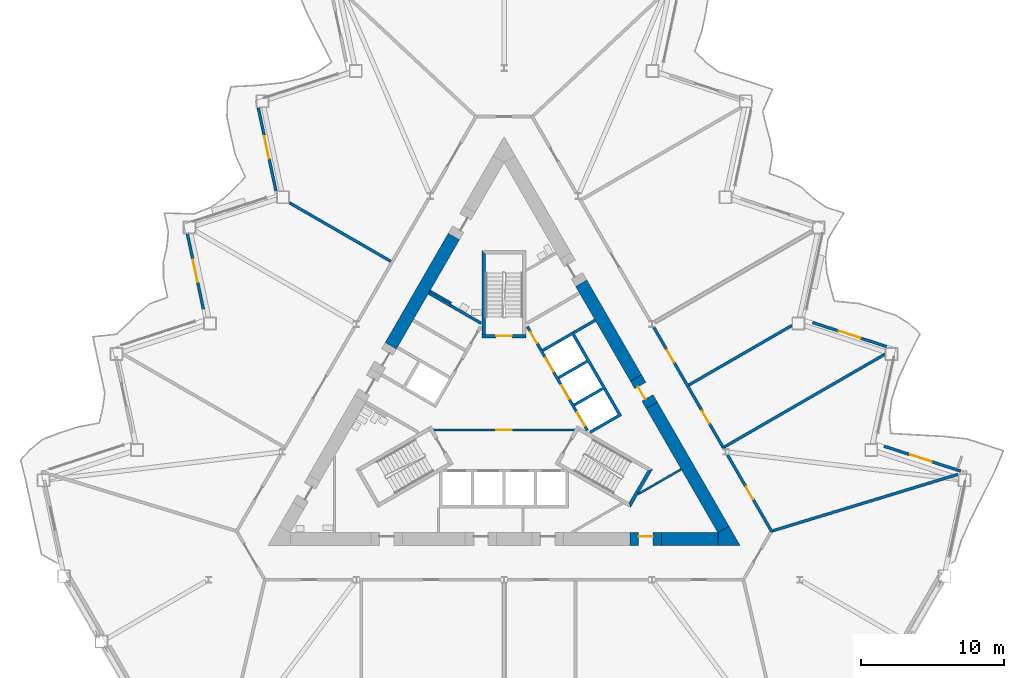
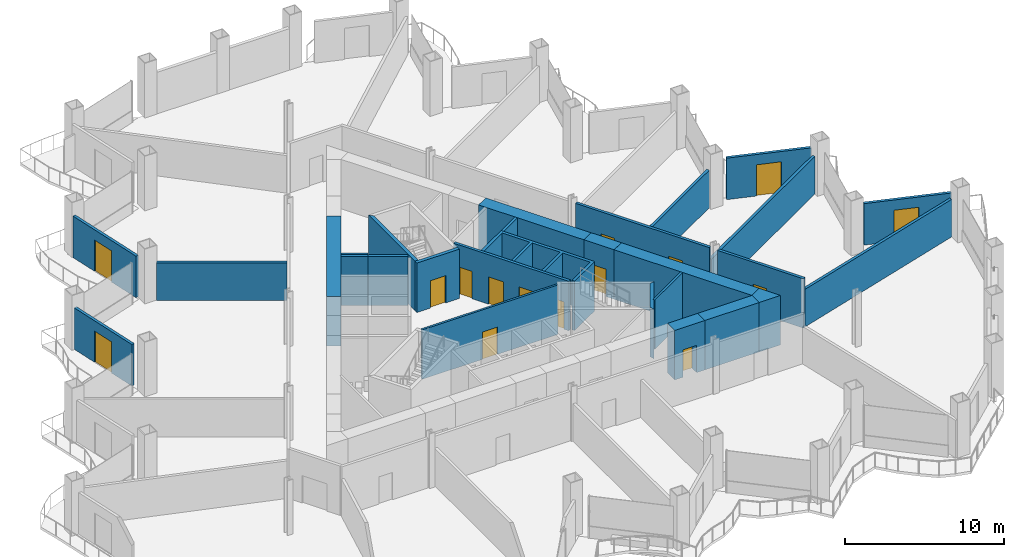
# One storey, part 12 of 21: 28 walls, 15 doors, 15 openings.
"""IFC4 building model written with IfcOpenShell, lengths in metres."""

from ifc_helpers import new_model, si_unit, direction, frame, frame_2d, origin, place, context, subcontext, project, spatial, polyline, rectangle, outline, extrude, material, layer, layer_set, type_object, element, fill, save


model = new_model("IFC4")

# Units and contexts
model_context = context("Model", 3, precision=1e-05, world=origin(), true_north=direction((0.0, 1.0)))
body_context = subcontext(model_context, "Body", "Model", "MODEL_VIEW")
ifc_project = project(units=[si_unit("LENGTHUNIT", "METRE"), si_unit("AREAUNIT", "SQUARE_METRE"), si_unit("VOLUMEUNIT", "CUBIC_METRE"), si_unit("PLANEANGLEUNIT", "RADIAN"), si_unit("MASSUNIT", "GRAM", prefix="KILO")], contexts=[model_context])

# Site, building, storey
site_placement = place(None, origin())
site = spatial("IfcSite", under=ifc_project, at=site_placement, CompositionType="ELEMENT")
building_placement = place(site_placement, origin())
building = spatial("IfcBuilding", under=site, at=building_placement, Name="Cormorant Prow Tower", CompositionType="ELEMENT")
storey_placement = place(building_placement, frame((0.0, 0.0, 103.800048828125)))
storey = spatial("IfcBuildingStorey", under=building, at=storey_placement, Name="L21", CompositionType="ELEMENT", Elevation=103.800048828125)

# Wall, opening, door
ifc_material_1 = material(Name="Gypsum board partition")
ifc_layer_1 = layer(ifc_material_1, 0.14990234375)
ifc_layer_set_1 = layer_set([ifc_layer_1], Name="Gypsum board partition")
wall_type_1 = type_object("IfcWallType", Name="Core partition 150", PredefinedType="PARTITIONING", material=ifc_layer_set_1)
wall_1_placement = place(storey_placement, frame((-4.941162109375, -1.449951171875, 0.0), z_axis=(0.0, 0.0, 1.0), x_axis=(1.0, 0.0, 0.0)))
wall_1 = element("IfcWall", 1, at=wall_1_placement, inside=storey, type_object=wall_type_1, Name="Firefighting lobby partition", PredefinedType="PARTITIONING", context=body_context, shape_type="SweptSolid", body=[
    extrude(rectangle(XDim=9.88232421875, YDim=0.14990234375, at=frame_2d((4.941162109375, 0.0))), origin(), (0.0, 0.0, 1.0), 3.800048828125),
])
opening_1_placement = place(wall_1_placement, frame((4.39111328125, 0.0, 0.0)))
opening_1 = element("IfcOpeningElement", 2, at=opening_1_placement, cuts=wall_1, Name="Opening L21-C11", PredefinedType="OPENING", context=body_context, shape_type="SweptSolid", body=[
    extrude(rectangle(XDim=1.10009765625, YDim=2.10009765625, at=frame_2d((0.550048828125, 1.050048828125))), frame((0.0, 0.0849609375, 0.0), z_axis=(0.0, -1.0, 0.0), x_axis=(1.0, 0.0, 0.0)), (0.0, 0.0, 1.0), 0.169921875),
])
ifc_material_2 = material(Name="Painted steel", Category="steel")
door_type_1 = type_object("IfcDoorType", Name="Firefighting lobby door 1100x2100", OperationType="NOTDEFINED", PredefinedType="DOOR", material=ifc_material_2)
door_1_placement = place(opening_1_placement, origin())
door_1 = element("IfcDoor", 3, at=door_1_placement, inside=storey, type_object=door_type_1, Name="Firefighting lobby door", OperationType="SINGLE_SWING_RIGHT", OverallHeight=2.10009765625, OverallWidth=1.10009765625, PredefinedType="DOOR", context=body_context, shape_type="SweptSolid", body=[
    extrude(rectangle(XDim=1.10009765625, YDim=2.10009765625, at=frame_2d((0.550048828125, 1.050048828125))), frame((0.0, 0.02490234375, 0.0), z_axis=(0.0, -1.0, 0.0), x_axis=(1.0, 0.0, 0.0)), (0.0, 0.0, 1.0), 0.050048828125),
])
fill(opening_1, door_1)

# Walls
wall_2_placement = place(storey_placement, frame((-3.693359375, 7.4150390625, 0.0), z_axis=(0.0, 0.0, 1.0), x_axis=(-0.866024871741, 0.500000921525, 0.0)))
element("IfcWall", 4, at=wall_2_placement, inside=storey, type_object=wall_type_1, Name="Service room partition", PredefinedType="PARTITIONING", context=body_context, shape_type="SweptSolid", body=[
    extrude(rectangle(XDim=1.72021484375, YDim=0.14990234375, at=frame_2d((0.860107421875, 0.0))), origin(), (0.0, 0.0, 1.0), 3.800048828125),
])
wall_3_placement = place(storey_placement, frame((12.385009765625, -4.198974609375, 0.0), z_axis=(0.0, 0.0, 1.0), x_axis=(-0.86604566135, -0.499964911226, 0.0)))
element("IfcWall", 5, at=wall_3_placement, inside=storey, type_object=wall_type_1, Name="Service room partition", PredefinedType="PARTITIONING", context=body_context, shape_type="SweptSolid", body=[
    extrude(rectangle(XDim=3.486572265625, YDim=0.14990234375, at=frame_2d((1.7431640625, 0.0))), origin(), (0.0, 0.0, 1.0), 3.800048828125),
])
ifc_material_3 = material(Name="Concrete 8000 psi", Category="concrete")
ifc_layer_2 = layer(ifc_material_3, 0.89990234375)
ifc_layer_set_2 = layer_set([ifc_layer_2], Name="Concrete 8000 psi")
wall_type_2 = type_object("IfcWallType", Name="Core shear wall 900", PredefinedType="SHEAR", material=ifc_layer_set_2)
wall_4_placement = place(storey_placement, frame((11.00390625, -9.076416015625, 0.0), z_axis=(0.0, 0.0, 1.0), x_axis=(1.0, 0.0, 0.0)))
element("IfcWall", 6, at=wall_4_placement, inside=storey, type_object=wall_type_2, Name="Core wall", PredefinedType="SHEAR", context=body_context, shape_type="SweptSolid", body=[
    extrude(rectangle(XDim=3.937255859375, YDim=0.89990234375, at=frame_2d((1.96875, 0.0))), origin(), (0.0, 0.0, 1.0), 3.800048828125),
])
wall_5_placement = place(storey_placement, frame((15.330810546875, -8.4013671875, 0.0), z_axis=(0.0, 0.0, 1.0), x_axis=(-0.499996094196, 0.86602765879, 0.0)))
element("IfcWall", 7, at=wall_5_placement, inside=storey, type_object=wall_type_2, Name="Core wall", PredefinedType="SHEAR", context=body_context, shape_type="SweptSolid", body=[
    extrude(rectangle(XDim=10.01416015625, YDim=0.89990234375, at=frame_2d((5.007080078125, 0.0))), origin(), (0.0, 0.0, 1.0), 3.800048828125),
])
wall_6_placement = place(storey_placement, frame((9.2236328125, 2.176513671875, 0.0), z_axis=(0.0, 0.0, 1.0), x_axis=(-0.499987468925, 0.866032638483, 0.0)))
element("IfcWall", 8, at=wall_6_placement, inside=storey, type_object=wall_type_2, Name="Core wall", PredefinedType="SHEAR", context=body_context, shape_type="SweptSolid", body=[
    extrude(rectangle(XDim=7.655517578125, YDim=0.89990234375, at=frame_2d((3.82763671875, 0.0))), origin(), (0.0, 0.0, 1.0), 3.800048828125),
])
wall_7_placement = place(storey_placement, frame((-3.512451171875, 12.06884765625, 0.0), z_axis=(0.0, 0.0, 1.0), x_axis=(-0.500002126466, -0.866024176065, 0.0)))
element("IfcWall", 9, at=wall_7_placement, inside=storey, type_object=wall_type_2, Name="Core wall", PredefinedType="SHEAR", context=body_context, shape_type="SweptSolid", body=[
    extrude(rectangle(XDim=8.81591796875, YDim=0.89990234375, at=frame_2d((4.407958984375, 0.0))), origin(), (0.0, 0.0, 1.0), 3.800048828125),
])
wall_8_placement = place(storey_placement, origin())
element("IfcWall", 10, at=wall_8_placement, inside=storey, type_object=wall_type_2, Name="Core wall corner", PredefinedType="SHEAR", context=body_context, shape_type="SweptSolid", body=[
    extrude(outline(polyline([(14.941162109375, -8.626220703125), (15.720703125, -8.17626953125), (16.5, -9.5263671875), (14.941162109375, -9.5263671875), (14.941162109375, -8.626220703125)])), origin(), (0.0, 0.0, 1.0), 3.800048828125),
])

# Wall, opening, door
wall_9_placement = place(storey_placement, frame((8.803955078125, -9.076416015625, 0.0), z_axis=(0.0, 0.0, 1.0), x_axis=(1.0, 0.0, 0.0)))
wall_9 = element("IfcWall", 11, at=wall_9_placement, inside=storey, type_object=wall_type_2, Name="Core wall door panel", PredefinedType="SHEAR", context=body_context, shape_type="SweptSolid", body=[
    extrude(rectangle(XDim=2.199951171875, YDim=0.89990234375, at=frame_2d((1.10009765625, 0.0))), origin(), (0.0, 0.0, 1.0), 3.800048828125),
])
opening_2_placement = place(wall_9_placement, frame((0.60009765625, 0.0, 0.0)))
opening_2 = element("IfcOpeningElement", 12, at=opening_2_placement, cuts=wall_9, Name="Opening L21-C16", PredefinedType="OPENING", context=body_context, shape_type="SweptSolid", body=[
    extrude(rectangle(XDim=1.0, YDim=2.10009765625, at=frame_2d((0.5, 1.050048828125))), frame((0.0, 0.4599609375, 0.0), z_axis=(0.0, -1.0, 0.0), x_axis=(1.0, 0.0, 0.0)), (0.0, 0.0, 1.0), 0.919921875),
])
ifc_material_4 = material(Name="Painted steel", Category="steel")
door_type_2 = type_object("IfcDoorType", Name="Service door 1000x2100", OperationType="NOTDEFINED", PredefinedType="DOOR", material=ifc_material_4)
door_2_placement = place(opening_2_placement, origin())
door_2 = element("IfcDoor", 13, at=door_2_placement, inside=storey, type_object=door_type_2, Name="Core door, Pantry store", OperationType="SINGLE_SWING_LEFT", OverallHeight=2.10009765625, OverallWidth=1.0, PredefinedType="DOOR", context=body_context, shape_type="SweptSolid", body=[
    extrude(rectangle(XDim=1.0, YDim=2.10009765625, at=frame_2d((0.5, 1.050048828125))), frame((0.0, 0.205078125, 0.0), z_axis=(0.0, -1.0, 0.0), x_axis=(1.0, 0.0, 0.0)), (0.0, 0.0, 1.0), 0.050048828125),
])
fill(opening_2, door_2)

wall_10_placement = place(storey_placement, frame((10.32373046875, 0.271240234375, 0.0), z_axis=(0.0, 0.0, 1.0), x_axis=(-0.499946605688, 0.86605622881, 0.0)))
wall_10 = element("IfcWall", 14, at=wall_10_placement, inside=storey, type_object=wall_type_2, Name="Core wall door panel", PredefinedType="SHEAR", context=body_context, shape_type="SweptSolid", body=[
    extrude(rectangle(XDim=2.199951171875, YDim=0.89990234375, at=frame_2d((1.10009765625, 0.0))), origin(), (0.0, 0.0, 1.0), 3.800048828125),
])
opening_3_placement = place(wall_10_placement, frame((0.60009765625, 0.0, 0.0)))
opening_3 = element("IfcOpeningElement", 15, at=opening_3_placement, cuts=wall_10, Name="Opening L21-C20", PredefinedType="OPENING", context=body_context, shape_type="SweptSolid", body=[
    extrude(rectangle(XDim=1.0, YDim=2.10009765625, at=frame_2d((0.5, 1.050048828125))), frame((0.0, 0.4599609375, 0.0), z_axis=(0.0, -1.0, 0.0), x_axis=(1.0, 0.0, 0.0)), (0.0, 0.0, 1.0), 0.919921875),
])
door_3_placement = place(opening_3_placement, origin())
door_3 = element("IfcDoor", 16, at=door_3_placement, inside=storey, type_object=door_type_2, Name="Core door, Pantry store", OperationType="SINGLE_SWING_LEFT", OverallHeight=2.10009765625, OverallWidth=1.0, PredefinedType="DOOR", context=body_context, shape_type="SweptSolid", body=[
    extrude(rectangle(XDim=1.0, YDim=2.10009765625, at=frame_2d((0.5, 1.050048828125))), frame((0.0, 0.205078125, 0.0), z_axis=(0.0, -1.0, 0.0), x_axis=(1.0, 0.0, 0.0)), (0.0, 0.0, 1.0), 0.050048828125),
])
fill(opening_3, door_3)

# Wall, openings, doors
ifc_material_5 = material(Name="Gypsum board corridor wall")
ifc_layer_3 = layer(ifc_material_5, 0.199951171875)
ifc_layer_set_3 = layer_set([ifc_layer_3], Name="Gypsum board corridor wall")
wall_type_3 = type_object("IfcWallType", Name="Corridor wall 200", PredefinedType="PARTITIONING", material=ifc_layer_set_3)
wall_11_placement = place(storey_placement, frame((10.459716796875, 5.735595703125, 0.0), z_axis=(0.0, 0.0, 1.0), x_axis=(0.500010522431, -0.866019328571, 0.0)))
wall_11 = element("IfcWall", 17, at=wall_11_placement, inside=storey, type_object=wall_type_3, Name="Corridor wall", PredefinedType="PARTITIONING", context=body_context, shape_type="SweptSolid", body=[
    extrude(rectangle(XDim=9.732666015625, YDim=0.199951171875, at=frame_2d((4.8662109375, 0.0))), origin(), (0.0, 0.0, 1.0), 3.800048828125),
])
opening_4_placement = place(wall_11_placement, frame((6.77587890625, 0.0, 0.0)))
opening_4 = element("IfcOpeningElement", 18, at=opening_4_placement, cuts=wall_11, Name="Opening L21-F07", PredefinedType="OPENING", context=body_context, shape_type="SweptSolid", body=[
    extrude(rectangle(XDim=1.0, YDim=2.10009765625, at=frame_2d((0.5, 1.050048828125))), frame((0.0, 0.10986328125, 0.0), z_axis=(0.0, -1.0, 0.0), x_axis=(1.0, 0.0, 0.0)), (0.0, 0.0, 1.0), 0.219970703125),
])
opening_5_placement = place(wall_11_placement, frame((1.8564453125, 0.0, 0.0)))
opening_5 = element("IfcOpeningElement", 19, at=opening_5_placement, cuts=wall_11, Name="Opening L21-F08", PredefinedType="OPENING", context=body_context, shape_type="SweptSolid", body=[
    extrude(rectangle(XDim=1.0, YDim=2.10009765625, at=frame_2d((0.5, 1.050048828125))), frame((0.0, 0.10986328125, 0.0), z_axis=(0.0, -1.0, 0.0), x_axis=(1.0, 0.0, 0.0)), (0.0, 0.0, 1.0), 0.219970703125),
])
ifc_material_6 = material(Name="Timber door leaf", Category="wood")
door_type_3 = type_object("IfcDoorType", Name="Office door 1000x2100", OperationType="NOTDEFINED", PredefinedType="DOOR", material=ifc_material_6)
door_4_placement = place(opening_4_placement, origin())
door_4 = element("IfcDoor", 20, at=door_4_placement, inside=storey, type_object=door_type_3, Name="Private office door", OperationType="SINGLE_SWING_LEFT", OverallHeight=2.10009765625, OverallWidth=1.0, PredefinedType="DOOR", context=body_context, shape_type="SweptSolid", body=[
    extrude(rectangle(XDim=1.0, YDim=2.10009765625, at=frame_2d((0.5, 1.050048828125))), frame((0.0, 0.02490234375, 0.0), z_axis=(0.0, -1.0, 0.0), x_axis=(1.0, 0.0, 0.0)), (0.0, 0.0, 1.0), 0.050048828125),
])
fill(opening_4, door_4)
door_5_placement = place(opening_5_placement, origin())
door_5 = element("IfcDoor", 21, at=door_5_placement, inside=storey, type_object=door_type_3, Name="Private office door", OperationType="SINGLE_SWING_RIGHT", OverallHeight=2.10009765625, OverallWidth=1.0, PredefinedType="DOOR", context=body_context, shape_type="SweptSolid", body=[
    extrude(rectangle(XDim=1.0, YDim=2.10009765625, at=frame_2d((0.5, 1.050048828125))), frame((0.0, 0.02490234375, 0.0), z_axis=(0.0, -1.0, 0.0), x_axis=(1.0, 0.0, 0.0)), (0.0, 0.0, 1.0), 0.050048828125),
])
fill(opening_5, door_5)

# Wall, opening, door
wall_12_placement = place(storey_placement, frame((15.6240234375, -3.208984375, 0.0), z_axis=(0.0, 0.0, 1.0), x_axis=(0.499997920671, -0.866026604282, 0.0)))
wall_12 = element("IfcWall", 22, at=wall_12_placement, inside=storey, type_object=wall_type_3, Name="Corridor wall", PredefinedType="PARTITIONING", context=body_context, shape_type="SweptSolid", body=[
    extrude(rectangle(XDim=6.23974609375, YDim=0.199951171875, at=frame_2d((3.119873046875, 0.0))), origin(), (0.0, 0.0, 1.0), 3.800048828125),
])
opening_6_placement = place(wall_12_placement, frame((2.569580078125, 0.0, 0.0)))
opening_6 = element("IfcOpeningElement", 23, at=opening_6_placement, cuts=wall_12, Name="Opening L21-F06", PredefinedType="OPENING", context=body_context, shape_type="SweptSolid", body=[
    extrude(rectangle(XDim=1.0, YDim=2.10009765625, at=frame_2d((0.5, 1.050048828125))), frame((0.0, 0.10986328125, 0.0), z_axis=(0.0, -1.0, 0.0), x_axis=(1.0, 0.0, 0.0)), (0.0, 0.0, 1.0), 0.219970703125),
])
door_6_placement = place(opening_6_placement, origin())
door_6 = element("IfcDoor", 24, at=door_6_placement, inside=storey, type_object=door_type_3, Name="Co-working room door", OperationType="SINGLE_SWING_LEFT", OverallHeight=2.10009765625, OverallWidth=1.0, PredefinedType="DOOR", context=body_context, shape_type="SweptSolid", body=[
    extrude(rectangle(XDim=1.0, YDim=2.10009765625, at=frame_2d((0.5, 1.050048828125))), frame((0.0, 0.02490234375, 0.0), z_axis=(0.0, -1.0, 0.0), x_axis=(1.0, 0.0, 0.0)), (0.0, 0.0, 1.0), 0.050048828125),
])
fill(opening_6, door_6)

# Walls
ifc_material_7 = material(Name="Gypsum board demising wall")
ifc_layer_4 = layer(ifc_material_7, 0.199951171875)
ifc_layer_set_4 = layer_set([ifc_layer_4], Name="Gypsum board demising wall")
wall_type_4 = type_object("IfcWallType", Name="Demising wall 200", PredefinedType="PARTITIONING", material=ifc_layer_set_4)
wall_13_placement = place(storey_placement, frame((18.78955078125, -8.4970703125, 0.0), z_axis=(0.0, 0.0, 1.0), x_axis=(0.956574643239, 0.291487481569, 0.0)))
element("IfcWall", 25, at=wall_13_placement, inside=storey, type_object=wall_type_4, Name="Demising wall", PredefinedType="PARTITIONING", context=body_context, shape_type="SweptSolid", body=[
    extrude(rectangle(XDim=13.5341796875, YDim=0.199951171875, at=frame_2d((6.76708984375, 0.0))), origin(), (0.0, 0.0, 1.0), 2.88525390625),
])
wall_14_placement = place(storey_placement, frame((15.321044921875, -2.684326171875, 0.0), z_axis=(0.0, 0.0, 1.0), x_axis=(0.866029068465, 0.499993652534, 0.0)))
element("IfcWall", 26, at=wall_14_placement, inside=storey, type_object=wall_type_4, Name="Demising wall", PredefinedType="PARTITIONING", context=body_context, shape_type="SweptSolid", body=[
    extrude(rectangle(XDim=13.065673828125, YDim=0.199951171875, at=frame_2d((6.53271484375, 0.0))), origin(), (0.0, 0.0, 1.0), 2.88525390625),
])
wall_15_placement = place(storey_placement, frame((12.911376953125, 1.689453125, 0.0), z_axis=(0.0, 0.0, 1.0), x_axis=(0.866032975699, 0.499986884831, 0.0)))
element("IfcWall", 27, at=wall_15_placement, inside=storey, type_object=wall_type_4, Name="Demising wall", PredefinedType="PARTITIONING", context=body_context, shape_type="SweptSolid", body=[
    extrude(rectangle(XDim=8.311767578125, YDim=0.199951171875, at=frame_2d((4.15576171875, 0.0))), origin(), (0.0, 0.0, 1.0), 2.88525390625),
])
wall_16_placement = place(storey_placement, frame((-15.009521484375, 14.430908203125, 0.0), z_axis=(0.0, 0.0, 1.0), x_axis=(0.866019738461, -0.5000098125, 0.0)))
element("IfcWall", 28, at=wall_16_placement, inside=storey, type_object=wall_type_4, Name="Demising wall", PredefinedType="PARTITIONING", context=body_context, shape_type="SweptSolid", body=[
    extrude(rectangle(XDim=8.187744140625, YDim=0.199951171875, at=frame_2d((4.09375, 0.0))), origin(), (0.0, 0.0, 1.0), 2.88525390625),
])

# Wall, openings, doors
ifc_material_8 = material(Name="Concrete 5000 psi", Category="concrete")
ifc_layer_5 = layer(ifc_material_8, 0.199951171875)
ifc_layer_set_5 = layer_set([ifc_layer_5], Name="Concrete 5000 psi")
wall_type_5 = type_object("IfcWallType", Name="Lift lobby wall 200", PredefinedType="SOLIDWALL", material=ifc_layer_set_5)
wall_17_placement = place(storey_placement, frame((5.817138671875, -1.4755859375, 0.0), z_axis=(0.0, 0.0, 1.0), x_axis=(-0.500002616675, 0.866023893041, 0.0)))
wall_17 = element("IfcWall", 29, at=wall_17_placement, inside=storey, type_object=wall_type_5, Name="Lift lobby wall, ENE block", PredefinedType="SOLIDWALL", context=body_context, shape_type="SweptSolid", body=[
    extrude(rectangle(XDim=8.373046875, YDim=0.199951171875, at=frame_2d((4.1865234375, 0.0))), origin(), (0.0, 0.0, 1.0), 3.800048828125),
])
opening_7_placement = place(wall_17_placement, frame((0.336669921875, 0.0, 0.0)))
opening_7 = element("IfcOpeningElement", 30, at=opening_7_placement, cuts=wall_17, Name="Opening L21-C05", PredefinedType="OPENING", context=body_context, shape_type="SweptSolid", body=[
    extrude(rectangle(XDim=1.10009765625, YDim=2.10009765625, at=frame_2d((0.550048828125, 1.050048828125))), frame((0.0, 0.10986328125, 0.0), z_axis=(0.0, -1.0, 0.0), x_axis=(1.0, 0.0, 0.0)), (0.0, 0.0, 1.0), 0.219970703125),
])
opening_8_placement = place(wall_17_placement, frame((2.53662109375, 0.0, 0.0)))
opening_8 = element("IfcOpeningElement", 31, at=opening_8_placement, cuts=wall_17, Name="Opening L21-C06", PredefinedType="OPENING", context=body_context, shape_type="SweptSolid", body=[
    extrude(rectangle(XDim=1.10009765625, YDim=2.10009765625, at=frame_2d((0.550048828125, 1.050048828125))), frame((0.0, 0.10986328125, 0.0), z_axis=(0.0, -1.0, 0.0), x_axis=(1.0, 0.0, 0.0)), (0.0, 0.0, 1.0), 0.219970703125),
])
opening_9_placement = place(wall_17_placement, frame((4.736572265625, 0.0, 0.0)))
opening_9 = element("IfcOpeningElement", 32, at=opening_9_placement, cuts=wall_17, Name="Opening L21-C07", PredefinedType="OPENING", context=body_context, shape_type="SweptSolid", body=[
    extrude(rectangle(XDim=1.10009765625, YDim=2.10009765625, at=frame_2d((0.550048828125, 1.050048828125))), frame((0.0, 0.10986328125, 0.0), z_axis=(0.0, -1.0, 0.0), x_axis=(1.0, 0.0, 0.0)), (0.0, 0.0, 1.0), 0.219970703125),
])
opening_10_placement = place(wall_17_placement, frame((7.03662109375, 0.0, 0.0)))
opening_10 = element("IfcOpeningElement", 33, at=opening_10_placement, cuts=wall_17, Name="Opening L21-C08", PredefinedType="OPENING", context=body_context, shape_type="SweptSolid", body=[
    extrude(rectangle(XDim=0.89990234375, YDim=2.10009765625, at=frame_2d((0.449951171875, 1.050048828125))), frame((0.0, 0.10986328125, 0.0), z_axis=(0.0, -1.0, 0.0), x_axis=(1.0, 0.0, 0.0)), (0.0, 0.0, 1.0), 0.219970703125),
])
ifc_material_9 = material(Name="Painted steel", Category="steel")
door_type_4 = type_object("IfcDoorType", Name="Lift landing door 1100x2100", OperationType="SLIDING_TO_LEFT", PredefinedType="DOOR", material=ifc_material_9)
door_7_placement = place(opening_7_placement, origin())
door_7 = element("IfcDoor", 34, at=door_7_placement, inside=storey, type_object=door_type_4, Name="Landing door LR2", OperationType="SLIDING_TO_LEFT", OverallHeight=2.10009765625, OverallWidth=1.10009765625, PredefinedType="DOOR", context=body_context, shape_type="SweptSolid", body=[
    extrude(rectangle(XDim=1.10009765625, YDim=2.10009765625, at=frame_2d((0.550048828125, 1.050048828125))), frame((0.0, 0.02490234375, 0.0), z_axis=(0.0, -1.0, 0.0), x_axis=(1.0, 0.0, 0.0)), (0.0, 0.0, 1.0), 0.050048828125),
])
fill(opening_7, door_7)
door_8_placement = place(opening_8_placement, origin())
door_8 = element("IfcDoor", 35, at=door_8_placement, inside=storey, type_object=door_type_4, Name="Landing door LR3", OperationType="SLIDING_TO_LEFT", OverallHeight=2.10009765625, OverallWidth=1.10009765625, PredefinedType="DOOR", context=body_context, shape_type="SweptSolid", body=[
    extrude(rectangle(XDim=1.10009765625, YDim=2.10009765625, at=frame_2d((0.550048828125, 1.050048828125))), frame((0.0, 0.02490234375, 0.0), z_axis=(0.0, -1.0, 0.0), x_axis=(1.0, 0.0, 0.0)), (0.0, 0.0, 1.0), 0.050048828125),
])
fill(opening_8, door_8)
door_9_placement = place(opening_9_placement, origin())
door_9 = element("IfcDoor", 36, at=door_9_placement, inside=storey, type_object=door_type_4, Name="Landing door LR4", OperationType="SLIDING_TO_LEFT", OverallHeight=2.10009765625, OverallWidth=1.10009765625, PredefinedType="DOOR", context=body_context, shape_type="SweptSolid", body=[
    extrude(rectangle(XDim=1.10009765625, YDim=2.10009765625, at=frame_2d((0.550048828125, 1.050048828125))), frame((0.0, 0.02490234375, 0.0), z_axis=(0.0, -1.0, 0.0), x_axis=(1.0, 0.0, 0.0)), (0.0, 0.0, 1.0), 0.050048828125),
])
fill(opening_9, door_9)
ifc_material_10 = material(Name="Painted steel", Category="steel")
door_type_5 = type_object("IfcDoorType", Name="Service door 900x2100", OperationType="NOTDEFINED", PredefinedType="DOOR", material=ifc_material_10)
door_10_placement = place(opening_10_placement, origin())
door_10 = element("IfcDoor", 37, at=door_10_placement, inside=storey, type_object=door_type_5, Name="Service door, Telecom room", OperationType="SINGLE_SWING_RIGHT", OverallHeight=2.10009765625, OverallWidth=0.89990234375, PredefinedType="DOOR", context=body_context, shape_type="SweptSolid", body=[
    extrude(rectangle(XDim=0.89990234375, YDim=2.10009765625, at=frame_2d((0.449951171875, 1.050048828125))), frame((0.0, 0.02490234375, 0.0), z_axis=(0.0, -1.0, 0.0), x_axis=(1.0, 0.0, 0.0)), (0.0, 0.0, 1.0), 0.050048828125),
])
fill(opening_10, door_10)

# Walls
ifc_material_11 = material(Name="Concrete 8000 psi", Category="concrete")
ifc_layer_6 = layer(ifc_material_11, 0.199951171875)
ifc_layer_set_6 = layer_set([ifc_layer_6], Name="Concrete 8000 psi")
wall_type_6 = type_object("IfcWallType", Name="Lift shaft wall 200", PredefinedType="SHEAR", material=ifc_layer_set_6)
wall_18_placement = place(storey_placement, origin())
element("IfcWall", 38, at=wall_18_placement, inside=storey, type_object=wall_type_6, Name="Lift shaft walls, ENE block", PredefinedType="SHEAR", context=body_context, shape_type="SweptSolid", body=[
    extrude(outline(polyline([(2.660400390625, 4.19189453125), (4.830810546875, 5.44482421875), (8.230712890625, -0.444091796875), (6.060546875, -1.697021484375), (5.96044921875, -1.52392578125), (7.952392578125, -0.373779296875), (6.952392578125, 1.358154296875), (4.96044921875, 0.2080078125), (4.860595703125, 0.38134765625), (6.852294921875, 1.53125), (5.852294921875, 3.263427734375), (3.860595703125, 2.11328125), (3.760498046875, 2.28662109375), (5.75244140625, 3.4365234375), (4.75244140625, 5.168701171875), (2.760498046875, 4.018798828125), (2.660400390625, 4.19189453125)])), origin(), (0.0, 0.0, 1.0), 3.800048828125),
])
wall_19_placement = place(storey_placement, frame((4.880859375, 5.3583984375, 0.0), z_axis=(0.0, 0.0, 1.0), x_axis=(0.866024871741, 0.500000921525, 0.0)))
element("IfcWall", 39, at=wall_19_placement, inside=storey, type_object=wall_type_6, Name="Store side wall", PredefinedType="SHEAR", context=body_context, shape_type="SweptSolid", body=[
    extrude(rectangle(XDim=1.72021484375, YDim=0.199951171875, at=frame_2d((0.860107421875, 0.0))), origin(), (0.0, 0.0, 1.0), 3.800048828125),
])
wall_20_placement = place(storey_placement, origin())
element("IfcWall", 40, at=wall_20_placement, inside=storey, type_object=wall_type_6, Name="Lift shaft walls, WNW block", PredefinedType="SHEAR", context=body_context, shape_type="SweptSolid", body=[
    extrude(outline(polyline([(-3.730712890625, 7.35009765625), (-1.560546875, 6.09716796875), (-1.660400390625, 5.923828125), (-3.830810546875, 7.177001953125), (-3.730712890625, 7.35009765625)])), origin(), (0.0, 0.0, 1.0), 3.800048828125),
])
wall_21_placement = place(storey_placement, frame((-3.78076171875, 7.263427734375, 0.0), z_axis=(0.0, 0.0, 1.0), x_axis=(-0.865963414263, 0.500107353632, 0.0)))
element("IfcWall", 41, at=wall_21_placement, inside=storey, type_object=wall_type_6, Name="Store side wall", PredefinedType="SHEAR", context=body_context, shape_type="SweptSolid", body=[
    extrude(rectangle(XDim=1.72021484375, YDim=0.199951171875, at=frame_2d((0.860107421875, 0.0))), origin(), (0.0, 0.0, 1.0), 3.800048828125),
])
ifc_material_12 = material(Name="Concrete 8000 psi", Category="concrete")
ifc_layer_7 = layer(ifc_material_12, 0.25)
ifc_layer_set_7 = layer_set([ifc_layer_7], Name="Concrete 8000 psi")
wall_type_7 = type_object("IfcWallType", Name="Stair wall 250", PredefinedType="SHEAR", material=ifc_layer_set_7)
wall_22_placement = place(storey_placement, origin())
element("IfcWall", 42, at=wall_22_placement, inside=storey, type_object=wall_type_7, Name="Stair ST2 enclosure wall (end)", PredefinedType="SHEAR", context=body_context, shape_type="SweptSolid", body=[
    extrude(outline(polyline([(8.82958984375, -6.880615234375), (10.37353515625, -4.206298828125), (10.031982421875, -4.2978515625), (8.738037109375, -6.5390625), (8.82958984375, -6.880615234375)])), origin(), (0.0, 0.0, 1.0), 3.800048828125),
])
wall_23_placement = place(storey_placement, origin())
element("IfcWall", 43, at=wall_23_placement, inside=storey, type_object=wall_type_7, Name="Stair ST3 enclosure wall (flank)", PredefinedType="SHEAR", context=body_context, shape_type="SweptSolid", body=[
    extrude(outline(polyline([(-1.2939453125, 10.8369140625), (-1.5439453125, 11.0869140625), (-1.5439453125, 5.23681640625), (-1.2939453125, 5.23681640625), (-1.2939453125, 10.8369140625)])), origin(), (0.0, 0.0, 1.0), 3.800048828125),
])

# Wall, opening, door
wall_24_placement = place(storey_placement, frame((1.5439453125, 5.11181640625, 0.0), z_axis=(0.0, 0.0, 1.0), x_axis=(-1.0, 0.0, 0.0)))
wall_24 = element("IfcWall", 44, at=wall_24_placement, inside=storey, type_object=wall_type_7, Name="Stair ST3 door wall", PredefinedType="SHEAR", context=body_context, shape_type="SweptSolid", body=[
    extrude(rectangle(XDim=3.087890625, YDim=0.25, at=frame_2d((1.5439453125, 0.0))), origin(), (0.0, 0.0, 1.0), 3.800048828125),
])
opening_11_placement = place(wall_24_placement, frame((0.993896484375, 0.0, 0.0)))
opening_11 = element("IfcOpeningElement", 45, at=opening_11_placement, cuts=wall_24, Name="Opening L21-C14", PredefinedType="OPENING", context=body_context, shape_type="SweptSolid", body=[
    extrude(rectangle(XDim=1.10009765625, YDim=2.10009765625, at=frame_2d((0.550048828125, 1.050048828125))), frame((0.0, 0.135009765625, 0.0), z_axis=(0.0, -1.0, 0.0), x_axis=(1.0, 0.0, 0.0)), (0.0, 0.0, 1.0), 0.27001953125),
])
ifc_material_13 = material(Name="Painted steel", Category="steel")
door_type_6 = type_object("IfcDoorType", Name="Stair door 1100x2100", OperationType="NOTDEFINED", PredefinedType="DOOR", material=ifc_material_13)
door_11_placement = place(opening_11_placement, origin())
door_11 = element("IfcDoor", 46, at=door_11_placement, inside=storey, type_object=door_type_6, Name="Stair ST3 door", OperationType="SINGLE_SWING_LEFT", OverallHeight=2.10009765625, OverallWidth=1.10009765625, PredefinedType="DOOR", context=body_context, shape_type="SweptSolid", body=[
    extrude(rectangle(XDim=1.10009765625, YDim=2.10009765625, at=frame_2d((0.550048828125, 1.050048828125))), frame((0.0, 0.02490234375, 0.0), z_axis=(0.0, -1.0, 0.0), x_axis=(1.0, 0.0, 0.0)), (0.0, 0.0, 1.0), 0.050048828125),
])
fill(opening_11, door_11)

ifc_material_14 = material(Name="Terracotta", Category="masonry")
ifc_layer_8 = layer(ifc_material_14, 0.199951171875)
ifc_layer_set_8 = layer_set([ifc_layer_8], Name="Terracotta")
wall_type_8 = type_object("IfcWallType", Name="Terracotta jamb wall 200", PredefinedType="SOLIDWALL", material=ifc_layer_set_8)
wall_25_placement = place(storey_placement, frame((31.91162109375, -4.325439453125, 0.0), z_axis=(0.0, 0.0, 1.0), x_axis=(-0.951049681611, 0.30903802858, 0.0)))
wall_25 = element("IfcWall", 47, at=wall_25_placement, inside=storey, type_object=wall_type_8, Name="Terracotta jamb wall ENE01", PredefinedType="SOLIDWALL", context=body_context, shape_type="SweptSolid", body=[
    extrude(rectangle(XDim=5.63037109375, YDim=0.199951171875, at=frame_2d((2.815185546875, 0.0))), origin(), (0.0, 0.0, 1.0), 3.18896484375),
])
opening_12_placement = place(wall_25_placement, frame((2.107177734375, 0.0, 0.0)))
opening_12 = element("IfcOpeningElement", 48, at=opening_12_placement, cuts=wall_25, Name="Opening ED21.06", PredefinedType="OPENING", context=body_context, shape_type="SweptSolid", body=[
    extrude(rectangle(XDim=1.60009765625, YDim=2.39990234375, at=frame_2d((0.800048828125, 1.199951171875))), frame((0.0, 0.10986328125, 0.0), z_axis=(0.0, -1.0, 0.0), x_axis=(1.0, 0.0, 0.0)), (0.0, 0.0, 1.0), 0.219970703125),
])
ifc_material_15 = material(Name="Aluminium 6063-T6", Category="aluminium")
door_type_7 = type_object("IfcDoorType", Name="Balcony door 1600x2400", OperationType="DOUBLE_DOOR_SINGLE_SWING", PredefinedType="DOOR", material=ifc_material_15)
door_12_placement = place(opening_12_placement, origin())
door_12 = element("IfcDoor", 49, at=door_12_placement, inside=storey, type_object=door_type_7, Name="Balcony door ENE01 ED21.06", OperationType="DOUBLE_DOOR_SINGLE_SWING", OverallHeight=2.39990234375, OverallWidth=1.60009765625, PredefinedType="DOOR", context=body_context, shape_type="SweptSolid", body=[
    extrude(rectangle(XDim=1.60009765625, YDim=2.39990234375, at=frame_2d((0.800048828125, 1.199951171875))), frame((0.0, 0.02490234375, 0.0), z_axis=(0.0, -1.0, 0.0), x_axis=(1.0, 0.0, 0.0)), (0.0, 0.0, 1.0), 0.050048828125),
])
fill(opening_12, door_12)

wall_26_placement = place(storey_placement, frame((26.743896484375, 4.379150390625, 0.0), z_axis=(0.0, 0.0, 1.0), x_axis=(-0.951063054266, 0.308996871845, 0.0)))
wall_26 = element("IfcWall", 50, at=wall_26_placement, inside=storey, type_object=wall_type_8, Name="Terracotta jamb wall ENE03", PredefinedType="SOLIDWALL", context=body_context, shape_type="SweptSolid", body=[
    extrude(rectangle(XDim=5.4462890625, YDim=0.199951171875, at=frame_2d((2.72314453125, 0.0))), origin(), (0.0, 0.0, 1.0), 3.18896484375),
])
opening_13_placement = place(wall_26_placement, frame((1.923095703125, 0.0, 0.0)))
opening_13 = element("IfcOpeningElement", 51, at=opening_13_placement, cuts=wall_26, Name="Opening ED21.07", PredefinedType="OPENING", context=body_context, shape_type="SweptSolid", body=[
    extrude(rectangle(XDim=1.60009765625, YDim=2.39990234375, at=frame_2d((0.800048828125, 1.199951171875))), frame((0.0, 0.10986328125, 0.0), z_axis=(0.0, -1.0, 0.0), x_axis=(1.0, 0.0, 0.0)), (0.0, 0.0, 1.0), 0.219970703125),
])
door_13_placement = place(opening_13_placement, origin())
door_13 = element("IfcDoor", 52, at=door_13_placement, inside=storey, type_object=door_type_7, Name="Balcony door ENE03 ED21.07", OperationType="DOUBLE_DOOR_SINGLE_SWING", OverallHeight=2.39990234375, OverallWidth=1.60009765625, PredefinedType="DOOR", context=body_context, shape_type="SweptSolid", body=[
    extrude(rectangle(XDim=1.60009765625, YDim=2.39990234375, at=frame_2d((0.800048828125, 1.199951171875))), frame((0.0, 0.02490234375, 0.0), z_axis=(0.0, -1.0, 0.0), x_axis=(1.0, 0.0, 0.0)), (0.0, 0.0, 1.0), 0.050048828125),
])
fill(opening_13, door_13)

wall_27_placement = place(storey_placement, frame((-17.1845703125, 21.06640625, 0.0), z_axis=(0.0, 0.0, 1.0), x_axis=(0.207930102794, -0.978143686966, 0.0)))
wall_27 = element("IfcWall", 53, at=wall_27_placement, inside=storey, type_object=wall_type_8, Name="Terracotta jamb wall WNW03", PredefinedType="SOLIDWALL", context=body_context, shape_type="SweptSolid", body=[
    extrude(rectangle(XDim=5.93408203125, YDim=0.199951171875, at=frame_2d((2.967041015625, 0.0))), origin(), (0.0, 0.0, 1.0), 3.18896484375),
])
opening_14_placement = place(wall_27_placement, frame((2.02001953125, 0.0, 0.0)))
opening_14 = element("IfcOpeningElement", 54, at=opening_14_placement, cuts=wall_27, Name="Opening ED21.12", PredefinedType="OPENING", context=body_context, shape_type="SweptSolid", body=[
    extrude(rectangle(XDim=1.60009765625, YDim=2.39990234375, at=frame_2d((0.800048828125, 1.199951171875))), frame((0.0, 0.10986328125, 0.0), z_axis=(0.0, -1.0, 0.0), x_axis=(1.0, 0.0, 0.0)), (0.0, 0.0, 1.0), 0.219970703125),
])
door_14_placement = place(opening_14_placement, origin())
door_14 = element("IfcDoor", 55, at=door_14_placement, inside=storey, type_object=door_type_7, Name="Balcony door WNW03 ED21.12", OperationType="DOUBLE_DOOR_SINGLE_SWING", OverallHeight=2.39990234375, OverallWidth=1.60009765625, PredefinedType="DOOR", context=body_context, shape_type="SweptSolid", body=[
    extrude(rectangle(XDim=1.60009765625, YDim=2.39990234375, at=frame_2d((0.800048828125, 1.199951171875))), frame((0.0, 0.02490234375, 0.0), z_axis=(0.0, -1.0, 0.0), x_axis=(1.0, 0.0, 0.0)), (0.0, 0.0, 1.0), 0.050048828125),
])
fill(opening_14, door_14)

wall_28_placement = place(storey_placement, frame((-22.156982421875, 12.323974609375, 0.0), z_axis=(0.0, 0.0, 1.0), x_axis=(0.207903253291, -0.978149394148, 0.0)))
wall_28 = element("IfcWall", 56, at=wall_28_placement, inside=storey, type_object=wall_type_8, Name="Terracotta jamb wall WNW05", PredefinedType="SOLIDWALL", context=body_context, shape_type="SweptSolid", body=[
    extrude(rectangle(XDim=5.4462890625, YDim=0.199951171875, at=frame_2d((2.72314453125, 0.0))), origin(), (0.0, 0.0, 1.0), 3.18896484375),
])
opening_15_placement = place(wall_28_placement, frame((1.923095703125, 0.0, 0.0)))
opening_15 = element("IfcOpeningElement", 57, at=opening_15_placement, cuts=wall_28, Name="Opening ED21.13", PredefinedType="OPENING", context=body_context, shape_type="SweptSolid", body=[
    extrude(rectangle(XDim=1.60009765625, YDim=2.39990234375, at=frame_2d((0.800048828125, 1.199951171875))), frame((0.0, 0.10986328125, 0.0), z_axis=(0.0, -1.0, 0.0), x_axis=(1.0, 0.0, 0.0)), (0.0, 0.0, 1.0), 0.219970703125),
])
door_15_placement = place(opening_15_placement, origin())
door_15 = element("IfcDoor", 58, at=door_15_placement, inside=storey, type_object=door_type_7, Name="Balcony door WNW05 ED21.13", OperationType="DOUBLE_DOOR_SINGLE_SWING", OverallHeight=2.39990234375, OverallWidth=1.60009765625, PredefinedType="DOOR", context=body_context, shape_type="SweptSolid", body=[
    extrude(rectangle(XDim=1.60009765625, YDim=2.39990234375, at=frame_2d((0.800048828125, 1.199951171875))), frame((0.0, 0.02490234375, 0.0), z_axis=(0.0, -1.0, 0.0), x_axis=(1.0, 0.0, 0.0)), (0.0, 0.0, 1.0), 0.050048828125),
])
fill(opening_15, door_15)

save(model, "model.ifc")
